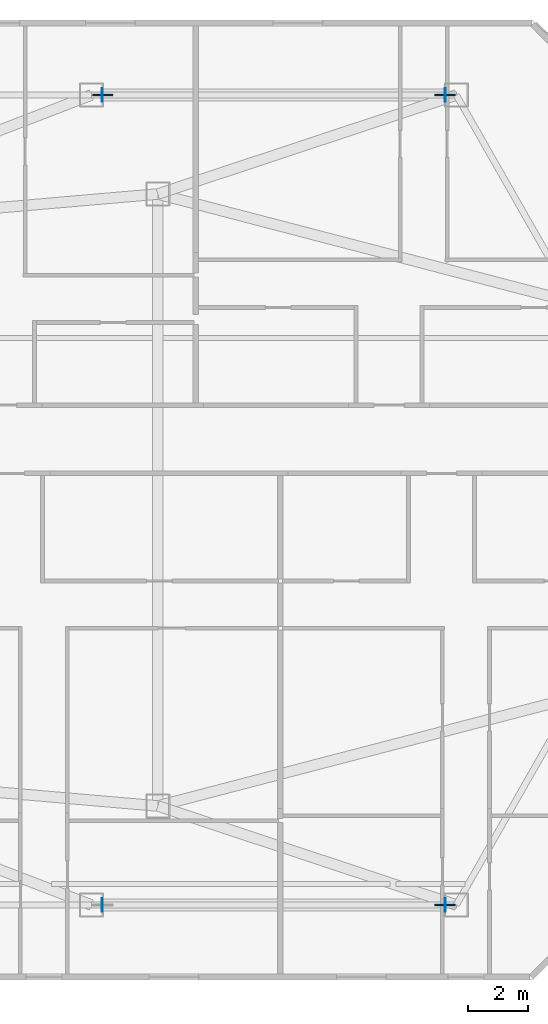
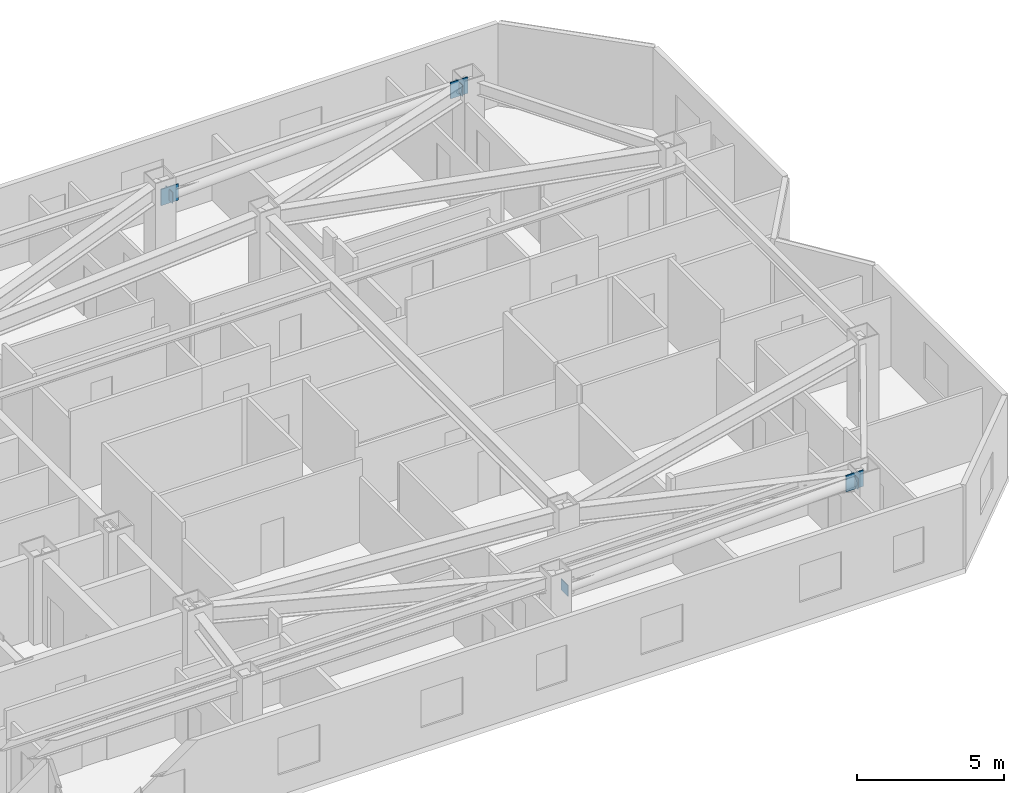
# One storey, part 7 of 14: 7 plates.
"""IFC4 building model written with IfcOpenShell, lengths in metres."""

import ifcopenshell
import ifcopenshell.guid

model = None  # the IFC model being written
_history = None  # IfcOwnerHistory: only IFC2X3 demands one
_inside = {}  # id of a spatial element -> (the spatial element, [elements in it])
_under = {}  # id of a project, library or spatial element -> (it, [spatial elements below it])
_declared = {}  # id of a project -> (the project, [libraries it declares])
_typed = {}  # id of a type object -> (the type object, [elements of that type])
_made_of = {}  # id of a material, layer set ... -> (it, [elements and type objects made of it])


def new_model(schema):
    """Start an empty IFC model of exactly this schema.

    Asked for "IFC4X3", IfcOpenShell would pick the latest addendum, in which some entities
    have other attributes; the version numbers below select the first issue.
    IFC2X3 requires an IfcOwnerHistory on every rooted entity: one is made here for all.
    """
    global model, _history
    if schema == "IFC4X3":
        model = ifcopenshell.file(schema_version=(4, 3, 0, 0))
    else:
        model = ifcopenshell.file(schema=schema)
    _inside.clear()
    _under.clear()
    _declared.clear()
    _typed.clear()
    _made_of.clear()
    _history = None
    if model.schema == "IFC2X3":
        org = make("IfcOrganization", Name="unknown")
        user = make(
            "IfcPersonAndOrganization",
            ThePerson=make("IfcPerson", FamilyName="unknown"),
            TheOrganization=org,
        )
        app = make(
            "IfcApplication",
            ApplicationDeveloper=org,
            Version="unknown",
            ApplicationFullName="unknown",
            ApplicationIdentifier="unknown",
        )
        _history = make(
            "IfcOwnerHistory",
            OwningUser=user,
            OwningApplication=app,
            ChangeAction="ADDED",
            CreationDate=0,
        )
    return model


def make(cls, **values):
    """One entity of the class cls with the attributes given. An attribute that is None is left unset."""
    return model.create_entity(
        cls, **{name: value for name, value in values.items() if value is not None}
    )


def rooted(cls, **values):
    """An entity with a GlobalId (a new one), such as an element, a storey or a relation."""
    return make(cls, GlobalId=ifcopenshell.guid.new(), OwnerHistory=_history, **values)


def si_unit(unit_type, name, prefix=None):
    """IfcSIUnit, for example si_unit("LENGTHUNIT", "METRE", prefix="MILLI")."""
    return make("IfcSIUnit", UnitType=unit_type, Prefix=prefix, Name=name)


def assignment(units):
    """IfcUnitAssignment: the units of a project."""
    return None if units is None else make("IfcUnitAssignment", Units=units)


def point(xyz):
    """IfcCartesianPoint."""
    return None if xyz is None else make("IfcCartesianPoint", Coordinates=xyz)


def direction(xyz):
    """IfcDirection."""
    return None if xyz is None else make("IfcDirection", DirectionRatios=xyz)


def frame(location, z_axis=None, x_axis=None):
    """IfcAxis2Placement3D, a coordinate frame: its origin and axes. An axis left out is left unset."""
    return make(
        "IfcAxis2Placement3D",
        Location=point(location),
        Axis=direction(z_axis),
        RefDirection=direction(x_axis),
    )


def frame_2d(location, x_axis=None):
    """IfcAxis2Placement2D, a coordinate frame in the plane: its origin and x axis."""
    return make(
        "IfcAxis2Placement2D", Location=point(location), RefDirection=direction(x_axis)
    )


def origin():
    """The frame at (0, 0, 0) with its axes left unset."""
    return frame((0.0, 0.0, 0.0))


def origin_2d():
    """The frame at (0, 0) in the plane with its x axis left unset."""
    return frame_2d((0.0, 0.0))


def place(relative_to, where):
    """IfcLocalPlacement: puts the frame where relative to a parent placement (None: the world)."""
    return make(
        "IfcLocalPlacement", PlacementRelTo=relative_to, RelativePlacement=where
    )


def context(
    kind, dimensions, precision=None, world=None, true_north=None, identifier=None
):
    """IfcGeometricRepresentationContext, for example the 3D "Model" context."""
    return make(
        "IfcGeometricRepresentationContext",
        ContextIdentifier=identifier,
        ContextType=kind,
        CoordinateSpaceDimension=dimensions,
        Precision=precision,
        WorldCoordinateSystem=world,
        TrueNorth=true_north,
    )


def subcontext(parent, identifier, kind, view, scale=None):
    """IfcGeometricRepresentationSubContext, for example "Body" below "Model"."""
    return make(
        "IfcGeometricRepresentationSubContext",
        ContextIdentifier=identifier,
        ContextType=kind,
        ParentContext=parent,
        TargetScale=scale,
        TargetView=view,
    )


def project(units=None, contexts=None):
    """IfcProject with its units and contexts."""
    return rooted(
        "IfcProject",
        Name="project",
        RepresentationContexts=contexts,
        UnitsInContext=assignment(units),
    )


def spatial(cls, under=None, at=None, **own):
    """A site, building, storey or space (cls), placed at a placement, below another one or the project."""
    s = rooted(cls, ObjectPlacement=at, **own)
    if under is not None:
        _under.setdefault(under.id(), (under, []))[1].append(s)
    return s


def profile(cls, at=None, kind="AREA", **sizes):
    """A parametric profile (cls). Its sizes go by their IFC names, for example OverallWidth=200.0."""
    return make(cls, ProfileType=kind, Position=at, **sizes)


def rectangle(**sizes):
    """IfcRectangleProfileDef."""
    return profile("IfcRectangleProfileDef", **sizes)


def extrude(swept, where, along, depth):
    """IfcExtrudedAreaSolid: the profile swept, set in the frame where, extruded along a direction by depth."""
    return make(
        "IfcExtrudedAreaSolid",
        SweptArea=swept,
        Position=where,
        ExtrudedDirection=direction(along),
        Depth=depth,
    )


def shape(context_of_items, identifier, shape_type, items):
    """IfcShapeRepresentation: the items that make up one representation, for example the "Body"."""
    return make(
        "IfcShapeRepresentation",
        ContextOfItems=context_of_items,
        RepresentationIdentifier=identifier,
        RepresentationType=shape_type,
        Items=items,
    )


def material(Name=None, Category=None):
    """IfcMaterial."""
    return make("IfcMaterial", Name=Name, Category=Category)


def layer(
    of_material, thickness, ventilated=None, Name=None, Category=None, Priority=None
):
    """IfcMaterialLayer: one layer of a wall or slab, of a material (None: an air gap)."""
    return make(
        "IfcMaterialLayer",
        Material=of_material,
        LayerThickness=thickness,
        IsVentilated=ventilated,
        Name=Name,
        Category=Category,
        Priority=Priority,
    )


def layer_set(layers, Name=None):
    """IfcMaterialLayerSet."""
    return make("IfcMaterialLayerSet", MaterialLayers=layers, LayerSetName=Name)


def made_of(thing, what):
    """Note that an element or type object is made of a material, layer set ...; save() writes the relation."""
    if what is not None:
        _made_of.setdefault(what.id(), (what, []))[1].append(thing)
    return thing


def type_object(cls, material=None, **own):
    """A type object (cls), such as IfcWallType, which elements share."""
    return made_of(rooted(cls, **own), material)


def element(
    cls,
    number,
    at=None,
    inside=None,
    cuts=None,
    type_object=None,
    material=None,
    context=None,
    identifier="Body",
    shape_type=None,
    held_by="IfcProductDefinitionShape",
    body=None,
    shapes=None,
    **own,
):
    """One element of the class cls, such as IfcWall. Its Tag is "e" and its number.

    at: its placement. inside: the storey or other place that contains it. cuts: it is an
    opening in that element (IfcRelVoidsElement). A single representation is given by context,
    identifier, shape_type and body (its items); several are given by shapes. held_by: the class
    of the entity that holds the representations. save() writes the other relations.
    """
    e = rooted(cls, Tag="e%d" % number, ObjectPlacement=at, **own)
    if body is not None:
        shapes = [shape(context, identifier, shape_type, body)]
    if shapes is not None:
        e.Representation = make(held_by, Representations=shapes)
    if inside is not None:
        _inside.setdefault(inside.id(), (inside, []))[1].append(e)
    if cuts is not None:
        rooted(
            "IfcRelVoidsElement", RelatingBuildingElement=cuts, RelatedOpeningElement=e
        )
    if type_object is not None:
        _typed.setdefault(type_object.id(), (type_object, []))[1].append(e)
    return made_of(e, material)


def aggregate(whole, parts):
    """IfcRelAggregates: a whole, such as a stair, and the parts it consists of."""
    return rooted("IfcRelAggregates", RelatingObject=whole, RelatedObjects=parts)


def save(model, path):
    """Write the relations noted so far, then the file.

    IfcRelAggregates (storeys below a building ...), IfcRelContainedInSpatialStructure (elements
    in a storey), IfcRelDefinesByType, IfcRelAssociatesMaterial and IfcRelDeclares: one each for
    every whole, place, type object, material and project.
    """
    for whole, parts in _under.values():
        aggregate(whole, parts)
    for where, things in _inside.values():
        rooted(
            "IfcRelContainedInSpatialStructure",
            RelatedElements=things,
            RelatingStructure=where,
        )
    for kind, things in _typed.values():
        rooted("IfcRelDefinesByType", RelatedObjects=things, RelatingType=kind)
    for what, things in _made_of.values():
        rooted("IfcRelAssociatesMaterial", RelatedObjects=things, RelatingMaterial=what)
    for by, libraries in _declared.values():
        rooted("IfcRelDeclares", RelatingContext=by, RelatedDefinitions=libraries)
    model.write(path)


model = new_model("IFC4")

# Units and contexts
model_context = context("Model", 3, precision=1e-05, world=origin(), true_north=direction((0.0, 1.0)))
body_context = subcontext(model_context, "Body", "Model", "MODEL_VIEW")
ifc_project = project(units=[si_unit("LENGTHUNIT", "METRE"), si_unit("AREAUNIT", "SQUARE_METRE"), si_unit("VOLUMEUNIT", "CUBIC_METRE"), si_unit("PLANEANGLEUNIT", "RADIAN"), si_unit("MASSUNIT", "GRAM", prefix="KILO")], contexts=[model_context])

# Site, building, storey
site_placement = place(None, origin())
site = spatial("IfcSite", under=ifc_project, at=site_placement, CompositionType="ELEMENT")
building_placement = place(site_placement, origin())
building = spatial("IfcBuilding", under=site, at=building_placement, Name="Khamvora Tower", CompositionType="ELEMENT")
storey_placement = place(building_placement, frame((0.0, 0.0, 242.75)))
storey = spatial("IfcBuildingStorey", under=building, at=storey_placement, Name="L62", CompositionType="ELEMENT", Elevation=242.75)

# Plates
ifc_material_1 = material(Name="Steel S355", Category="steel")
ifc_layer_1 = layer(ifc_material_1, 0.02490234375)
ifc_layer_set_1 = layer_set([ifc_layer_1], Name="Steel S355")
plate_type_1 = type_object("IfcPlateType", Name="PL-CAP-25", PredefinedType="SHEET", material=ifc_layer_set_1)
for number, where, z_axis, x_axis, name in (
    (1, (51.450927734375, 14.5, 2.4619140625), (0.0, 0.0, 1.0), (1.0, 0.0, 0.0), "L62 hollow section steel end cap plate 1158"),
    (2, (62.882080078125, 14.5, 2.9150390625), (0.0, 0.0, 1.0), (1.0, 0.0, 0.0), "L62 hollow section steel end cap plate 1159"),
    (3, (51.450927734375, 41.5, 2.4619140625), (0.0, 0.0, 1.0), (1.0, 0.0, 0.0), "L62 hollow section steel end cap plate 1160"),
    (4, (62.882080078125, 41.5, 2.9150390625), (0.0, 0.0, 1.0), (1.0, 0.0, 0.0), "L62 hollow section steel end cap plate 1161"),
):
    element("IfcPlate", number, at=place(storey_placement, frame(where, z_axis=z_axis, x_axis=x_axis)), inside=storey, type_object=plate_type_1, Name=name, PredefinedType="SHEET", context=body_context, shape_type="SweptSolid", body=[
        extrude(rectangle(XDim=0.02490234375, YDim=0.466064453125, at=origin_2d()), origin(), (0.0, 0.0, 1.0), 0.466064453125),
    ])
ifc_material_2 = material(Name="Steel S460", Category="steel")
ifc_layer_2 = layer(ifc_material_2, 0.0400390625)
ifc_layer_set_2 = layer_set([ifc_layer_2], Name="Steel S460")
plate_type_2 = type_object("IfcPlateType", Name="PLT-GUS-40", PredefinedType="SHEET", material=ifc_layer_set_2)
for number, where, z_axis, x_axis, name in (
    (5, (62.8701171875, 14.5, 2.80810546875), (0.0, 0.0, 1.0), (1.0, 0.0, 0.0), "L62 brace connection node gusset plate 0402"),
    (6, (51.462890625, 41.5, 2.35498046875), (0.0, 0.0, 1.0), (1.0, 0.0, 0.0), "L62 brace connection node gusset plate 0403"),
    (7, (62.8701171875, 41.5, 2.80810546875), (0.0, 0.0, 1.0), (1.0, 0.0, 0.0), "L62 brace connection node gusset plate 0404"),
):
    element("IfcPlate", number, at=place(storey_placement, frame(where, z_axis=z_axis, x_axis=x_axis)), inside=storey, type_object=plate_type_2, Name=name, PredefinedType="SHEET", context=body_context, shape_type="SweptSolid", body=[
        extrude(rectangle(XDim=0.679931640625, YDim=0.0400390625, at=origin_2d()), origin(), (0.0, 0.0, 1.0), 0.679931640625),
    ])

save(model, "model.ifc")
